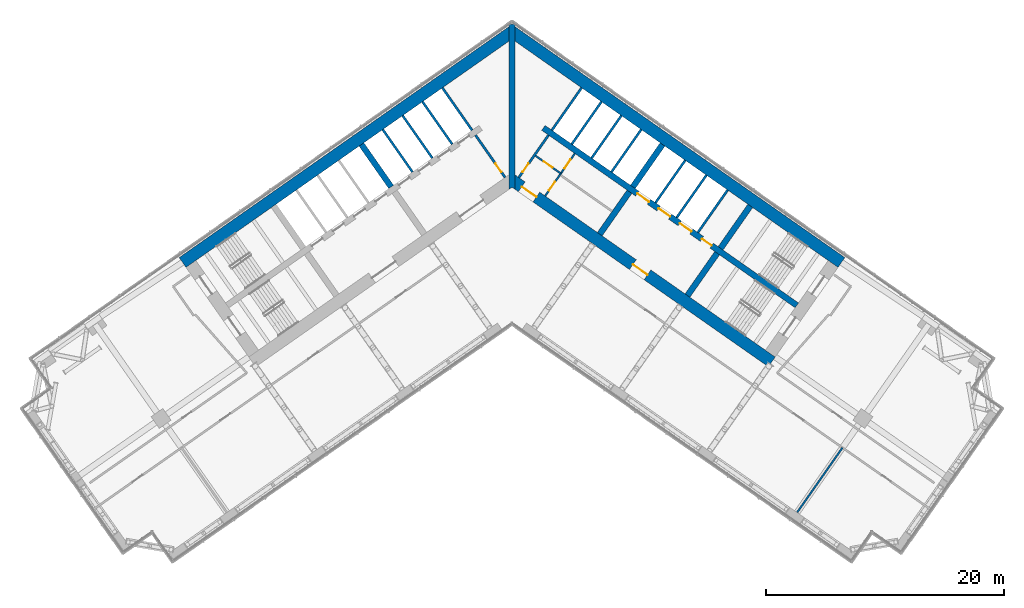
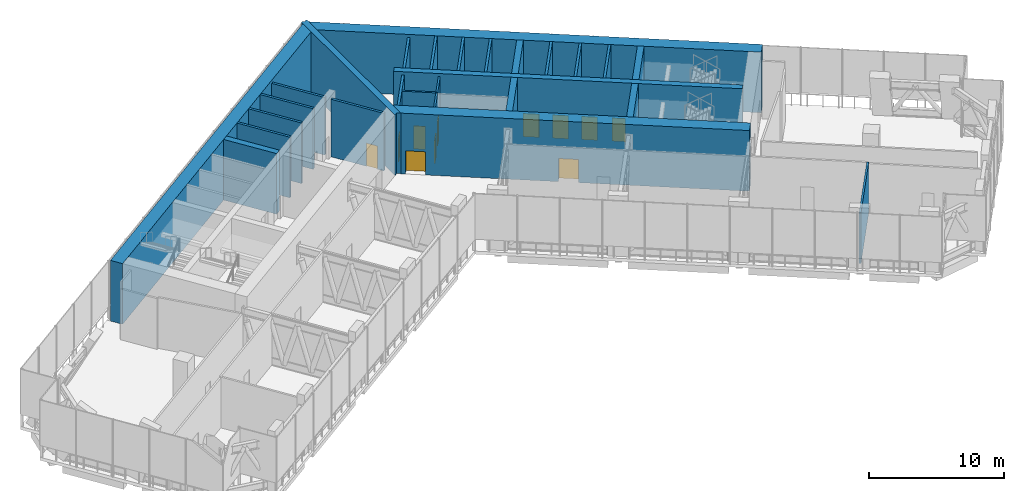
# One storey, part 6 of 24: 26 walls, 11 doors, 11 openings.
"""IFC4 building model written with IfcOpenShell, lengths in metres."""

from ifc_helpers import new_model, si_unit, direction, frame, frame_2d, origin, place, context, subcontext, project, spatial, polyline, rectangle, outline, extrude, material, layer, layer_set, type_object, element, fill, save


model = new_model("IFC4")

# Units and contexts
model_context = context("Model", 3, precision=1e-05, world=origin(), true_north=direction((0.0, 1.0)))
body_context = subcontext(model_context, "Body", "Model", "MODEL_VIEW")
ifc_project = project(units=[si_unit("LENGTHUNIT", "METRE"), si_unit("AREAUNIT", "SQUARE_METRE"), si_unit("VOLUMEUNIT", "CUBIC_METRE"), si_unit("PLANEANGLEUNIT", "RADIAN"), si_unit("MASSUNIT", "GRAM", prefix="KILO")], contexts=[model_context])

# Site, building, storey
site_placement = place(None, origin())
site = spatial("IfcSite", under=ifc_project, at=site_placement, CompositionType="ELEMENT")
building_placement = place(site_placement, origin())
building = spatial("IfcBuilding", under=site, at=building_placement, Name="Tel Ilan Convention Tower", CompositionType="ELEMENT")
storey_placement = place(building_placement, frame((0.0, 0.0, 126.5)))
storey = spatial("IfcBuildingStorey", under=building, at=storey_placement, Name="L28", CompositionType="ELEMENT", Elevation=126.5)

# Wall, openings, doors
ifc_material_1 = material(Name="Gypsum Plasterboard on Steel Stud", Category="steel")
ifc_layer_1 = layer(ifc_material_1, 0.14990234375)
ifc_layer_set_1 = layer_set([ifc_layer_1], Name="Core Room Partition Wall 150 mm EI 60")
wall_type_1 = type_object("IfcWallType", Name="Core Room Partition Wall 150 mm EI 60", PredefinedType="PARTITIONING", material=ifc_layer_set_1)
wall_1_placement = place(storey_placement, frame((2.78515625, -1.9501953125, 0.0), z_axis=(0.0, 0.0, 1.0), x_axis=(0.57356780395, 0.819158088694, 0.0)))
wall_1 = element("IfcWall", 1, at=wall_1_placement, inside=storey, type_object=wall_type_1, Name="L28 core wall wc-v1", PredefinedType="PARTITIONING", context=body_context, shape_type="SweptSolid", body=[
    extrude(rectangle(XDim=4.35009765625, YDim=0.14990234375, at=frame_2d((2.175048828125, 0.0))), origin(), (0.0, 0.0, 1.0), 5.219970703125),
])
opening_1_placement = place(wall_1_placement, frame((0.550048828125, 0.0, 0.0)))
opening_1 = element("IfcOpeningElement", 2, at=opening_1_placement, cuts=wall_1, Name="Opening CD2209", PredefinedType="OPENING", context=body_context, shape_type="SweptSolid", body=[
    extrude(rectangle(XDim=0.89990234375, YDim=2.10009765625, at=frame_2d((0.449951171875, 1.050048828125))), frame((0.0, 0.0849609375, 0.0), z_axis=(0.0, -1.0, 0.0), x_axis=(1.0, 0.0, 0.0)), (0.0, 0.0, 1.0), 0.169921875),
])
opening_2_placement = place(wall_1_placement, frame((2.824951171875, 0.0, 0.0)))
opening_2 = element("IfcOpeningElement", 3, at=opening_2_placement, cuts=wall_1, Name="Opening CD2210", PredefinedType="OPENING", context=body_context, shape_type="SweptSolid", body=[
    extrude(rectangle(XDim=0.89990234375, YDim=2.10009765625, at=frame_2d((0.449951171875, 1.050048828125))), frame((0.0, 0.0849609375, 0.0), z_axis=(0.0, -1.0, 0.0), x_axis=(1.0, 0.0, 0.0)), (0.0, 0.0, 1.0), 0.169921875),
])
ifc_material_2 = material(Name="Laminated Timber Door Leaf", Category="wood")
door_type_1 = type_object("IfcDoorType", Name="Toilet Door 900 x 2100 FD30S", OperationType="NOTDEFINED", PredefinedType="DOOR", material=ifc_material_2)
door_1_placement = place(opening_1_placement, origin())
door_1 = element("IfcDoor", 4, at=door_1_placement, inside=storey, type_object=door_type_1, Name="Women's WC door", OperationType="SINGLE_SWING_RIGHT", OverallHeight=2.10009765625, OverallWidth=0.89990234375, PredefinedType="DOOR", context=body_context, shape_type="SweptSolid", body=[
    extrude(rectangle(XDim=0.89990234375, YDim=2.10009765625, at=frame_2d((0.449951171875, 1.050048828125))), frame((0.0, 0.02490234375, 0.0), z_axis=(0.0, -1.0, 0.0), x_axis=(1.0, 0.0, 0.0)), (0.0, 0.0, 1.0), 0.050048828125),
])
fill(opening_1, door_1)
door_2_placement = place(opening_2_placement, origin())
door_2 = element("IfcDoor", 5, at=door_2_placement, inside=storey, type_object=door_type_1, Name="Men's WC door", OperationType="SINGLE_SWING_RIGHT", OverallHeight=2.10009765625, OverallWidth=0.89990234375, PredefinedType="DOOR", context=body_context, shape_type="SweptSolid", body=[
    extrude(rectangle(XDim=0.89990234375, YDim=2.10009765625, at=frame_2d((0.449951171875, 1.050048828125))), frame((0.0, 0.02490234375, 0.0), z_axis=(0.0, -1.0, 0.0), x_axis=(1.0, 0.0, 0.0)), (0.0, 0.0, 1.0), 0.050048828125),
])
fill(opening_2, door_2)

# Wall, opening, door
wall_2_placement = place(storey_placement, frame((1.974609375, 1.42529296875, 0.0), z_axis=(0.0, 0.0, 1.0), x_axis=(0.819103967032, -0.573645091666, 0.0)))
wall_2 = element("IfcWall", 6, at=wall_2_placement, inside=storey, type_object=wall_type_1, Name="L28 core wall wc-h1", PredefinedType="PARTITIONING", context=body_context, shape_type="SweptSolid", body=[
    extrude(rectangle(XDim=2.599853515625, YDim=0.14990234375, at=frame_2d((1.2998046875, 0.0))), origin(), (0.0, 0.0, 1.0), 5.219970703125),
])
opening_3_placement = place(wall_2_placement, frame((0.85009765625, 0.0, 0.0)))
opening_3 = element("IfcOpeningElement", 7, at=opening_3_placement, cuts=wall_2, Name="Opening CD2208", PredefinedType="OPENING", context=body_context, shape_type="SweptSolid", body=[
    extrude(rectangle(XDim=0.89990234375, YDim=2.10009765625, at=frame_2d((0.449951171875, 1.050048828125))), frame((0.0, 0.0849609375, 0.0), z_axis=(0.0, -1.0, 0.0), x_axis=(1.0, 0.0, 0.0)), (0.0, 0.0, 1.0), 0.169921875),
])
door_3_placement = place(opening_3_placement, origin())
door_3 = element("IfcDoor", 8, at=door_3_placement, inside=storey, type_object=door_type_1, Name="Accessible WC door", OperationType="SINGLE_SWING_RIGHT", OverallHeight=2.10009765625, OverallWidth=0.89990234375, PredefinedType="DOOR", context=body_context, shape_type="SweptSolid", body=[
    extrude(rectangle(XDim=0.89990234375, YDim=2.10009765625, at=frame_2d((0.449951171875, 1.050048828125))), frame((0.0, 0.02490234375, 0.0), z_axis=(0.0, -1.0, 0.0), x_axis=(1.0, 0.0, 0.0)), (0.0, 0.0, 1.0), 0.050048828125),
])
fill(opening_3, door_3)

ifc_material_3 = material(Name="Concrete C30/37", Category="concrete")
ifc_layer_2 = layer(ifc_material_3, 0.199951171875)
ifc_layer_set_2 = layer_set([ifc_layer_2], Name="Core Service Room Wall 200 mm C30/37")
wall_type_2 = type_object("IfcWallType", Name="Core Service Room Wall 200 mm C30/37", PredefinedType="SOLIDWALL", material=ifc_layer_set_2)
wall_3_placement = place(storey_placement, frame((-0.573486328125, -0.401611328125, 0.0), z_axis=(0.0, 0.0, 1.0), x_axis=(-0.57356780395, 0.819158088694, 0.0)))
wall_3 = element("IfcWall", 9, at=wall_3_placement, inside=storey, type_object=wall_type_2, Name="L28 core wall apex-W", PredefinedType="SOLIDWALL", context=body_context, shape_type="SweptSolid", body=[
    extrude(rectangle(XDim=4.35009765625, YDim=0.199951171875, at=frame_2d((2.175048828125, 0.0))), origin(), (0.0, 0.0, 1.0), 5.219970703125),
])
opening_4_placement = place(wall_3_placement, frame((0.550048828125, 0.0, 0.0)))
opening_4 = element("IfcOpeningElement", 10, at=opening_4_placement, cuts=wall_3, Name="Opening CD2202", PredefinedType="OPENING", context=body_context, shape_type="SweptSolid", body=[
    extrude(rectangle(XDim=0.89990234375, YDim=2.10009765625, at=frame_2d((0.449951171875, 1.050048828125))), frame((0.0, 0.10986328125, 0.0), z_axis=(0.0, -1.0, 0.0), x_axis=(1.0, 0.0, 0.0)), (0.0, 0.0, 1.0), 0.219970703125),
])
ifc_material_4 = material(Name="Galvanised Steel Door Leaf", Category="steel")
door_type_2 = type_object("IfcDoorType", Name="Service Room Door 900 x 2100 FD60", OperationType="NOTDEFINED", PredefinedType="DOOR", material=ifc_material_4)
door_4_placement = place(opening_4_placement, origin())
door_4 = element("IfcDoor", 11, at=door_4_placement, inside=storey, type_object=door_type_2, Name="Electrical Room door", OperationType="SINGLE_SWING_RIGHT", OverallHeight=2.10009765625, OverallWidth=0.89990234375, PredefinedType="DOOR", context=body_context, shape_type="SweptSolid", body=[
    extrude(rectangle(XDim=0.89990234375, YDim=2.10009765625, at=frame_2d((0.449951171875, 1.050048828125))), frame((0.0, 0.02490234375, 0.0), z_axis=(0.0, -1.0, 0.0), x_axis=(1.0, 0.0, 0.0)), (0.0, 0.0, 1.0), 0.050048828125),
])
fill(opening_4, door_4)

# Wall
wall_4_placement = place(storey_placement, frame((-3.355224609375, 3.5712890625, 0.0), z_axis=(0.0, 0.0, 1.0), x_axis=(-0.57356780395, 0.819158088694, 0.0)))
element("IfcWall", 12, at=wall_4_placement, inside=storey, type_object=wall_type_2, Name="L28 core wall apex-W-b", PredefinedType="SOLIDWALL", context=body_context, shape_type="SweptSolid", body=[
    extrude(rectangle(XDim=4.35009765625, YDim=0.199951171875, at=frame_2d((2.175048828125, 0.0))), origin(), (0.0, 0.0, 1.0), 5.219970703125),
])

# Wall, opening, door
wall_5_placement = place(storey_placement, frame((0.573486328125, -0.401611328125, 0.0), z_axis=(0.0, 0.0, 1.0), x_axis=(0.57356780395, 0.819158088694, 0.0)))
wall_5 = element("IfcWall", 13, at=wall_5_placement, inside=storey, type_object=wall_type_2, Name="L28 core wall apex-E", PredefinedType="SOLIDWALL", context=body_context, shape_type="SweptSolid", body=[
    extrude(rectangle(XDim=4.35009765625, YDim=0.199951171875, at=frame_2d((2.175048828125, 0.0))), origin(), (0.0, 0.0, 1.0), 5.219970703125),
])
opening_5_placement = place(wall_5_placement, frame((0.550048828125, 0.0, 0.0)))
opening_5 = element("IfcOpeningElement", 14, at=opening_5_placement, cuts=wall_5, Name="Opening CD2201", PredefinedType="OPENING", context=body_context, shape_type="SweptSolid", body=[
    extrude(rectangle(XDim=0.89990234375, YDim=2.10009765625, at=frame_2d((0.449951171875, 1.050048828125))), frame((0.0, 0.10986328125, 0.0), z_axis=(0.0, -1.0, 0.0), x_axis=(1.0, 0.0, 0.0)), (0.0, 0.0, 1.0), 0.219970703125),
])
door_5_placement = place(opening_5_placement, origin())
door_5 = element("IfcDoor", 15, at=door_5_placement, inside=storey, type_object=door_type_2, Name="Store Room door", OperationType="SINGLE_SWING_RIGHT", OverallHeight=2.10009765625, OverallWidth=0.89990234375, PredefinedType="DOOR", context=body_context, shape_type="SweptSolid", body=[
    extrude(rectangle(XDim=0.89990234375, YDim=2.10009765625, at=frame_2d((0.449951171875, 1.050048828125))), frame((0.0, 0.02490234375, 0.0), z_axis=(0.0, -1.0, 0.0), x_axis=(1.0, 0.0, 0.0)), (0.0, 0.0, 1.0), 0.050048828125),
])
fill(opening_5, door_5)

# Walls
wall_6_placement = place(storey_placement, frame((3.355224609375, 3.5712890625, 0.0), z_axis=(0.0, 0.0, 1.0), x_axis=(0.57356780395, 0.819158088694, 0.0)))
element("IfcWall", 16, at=wall_6_placement, inside=storey, type_object=wall_type_2, Name="L28 core wall apex-E-b", PredefinedType="SOLIDWALL", context=body_context, shape_type="SweptSolid", body=[
    extrude(rectangle(XDim=4.35009765625, YDim=0.199951171875, at=frame_2d((2.175048828125, 0.0))), origin(), (0.0, 0.0, 1.0), 5.219970703125),
])
ifc_material_5 = material(Name="Concrete C60/75", Category="concrete")
ifc_layer_3 = layer(ifc_material_5, 1.0)
ifc_layer_set_3 = layer_set([ifc_layer_3], Name="Core Shear Wall 1000 mm C60/75")
wall_type_3 = type_object("IfcWallType", Name="Core Shear Wall 1000 mm C60/75", PredefinedType="SHEAR", material=ifc_layer_set_3)
wall_7_placement = place(storey_placement, frame((0.036865234375, 11.8671875, 0.0), z_axis=(0.0, 0.0, 1.0), x_axis=(-0.819155306259, -0.573571777746, 0.0)))
element("IfcWall", 17, at=wall_7_placement, inside=storey, type_object=wall_type_3, Name="L28 core wall W-back", PredefinedType="SHEAR", context=body_context, shape_type="SweptSolid", body=[
    extrude(outline(polyline([(33.8369140625, 0.5), (0.7001953125, 0.499755859375), (0.0, -0.5), (33.8369140625, -0.5), (33.8369140625, 0.5)])), origin(), (0.0, 0.0, 1.0), 5.5),
])
wall_8_placement = place(storey_placement, frame((-0.036865234375, 11.8671875, 0.0), z_axis=(0.0, 0.0, 1.0), x_axis=(0.819155306259, -0.573571777746, 0.0)))
element("IfcWall", 18, at=wall_8_placement, inside=storey, type_object=wall_type_3, Name="L28 core wall E-back", PredefinedType="SHEAR", context=body_context, shape_type="SweptSolid", body=[
    extrude(outline(polyline([(33.8369140625, 0.5), (0.0, 0.5), (0.7001953125, -0.499755859375), (33.8369140625, -0.5), (33.8369140625, 0.5)])), origin(), (0.0, 0.0, 1.0), 5.5),
])

# Wall, openings, doors
wall_9_placement = place(storey_placement, frame((-0.036865234375, -0.584716796875, 0.0), z_axis=(0.0, 0.0, 1.0), x_axis=(0.819157152511, -0.573569140985, 0.0)))
wall_9 = element("IfcWall", 19, at=wall_9_placement, inside=storey, type_object=wall_type_3, Name="L28 core wall E-front", PredefinedType="SHEAR", context=body_context, shape_type="SweptSolid", body=[
    extrude(outline(polyline([(26.69482421875, 0.499755859375), (0.0, 0.5), (0.7001953125, -0.499755859375), (26.69482421875, -0.500244140625), (26.69482421875, 0.499755859375)])), origin(), (0.0, 0.0, 1.0), 5.5),
])
opening_6_placement = place(wall_9_placement, frame((1.044921875, 0.0, 0.0)))
opening_6 = element("IfcOpeningElement", 20, at=opening_6_placement, cuts=wall_9, Name="Opening CD2203", PredefinedType="OPENING", context=body_context, shape_type="SweptSolid", body=[
    extrude(rectangle(XDim=1.5, YDim=2.10009765625, at=frame_2d((0.75, 1.050048828125))), frame((0.0, 0.510009765625, 0.0), z_axis=(0.0, -1.0, 0.0), x_axis=(1.0, 0.0, 0.0)), (0.0, 0.0, 1.0), 1.02001953125),
])
opening_7_placement = place(wall_9_placement, frame((12.44482421875, 0.0, 0.0)))
opening_7 = element("IfcOpeningElement", 21, at=opening_7_placement, cuts=wall_9, Name="Opening CD2204", PredefinedType="OPENING", context=body_context, shape_type="SweptSolid", body=[
    extrude(rectangle(XDim=1.5, YDim=2.10009765625, at=frame_2d((0.75, 1.050048828125))), frame((0.0, 0.510009765625, 0.0), z_axis=(0.0, -1.0, 0.0), x_axis=(1.0, 0.0, 0.0)), (0.0, 0.0, 1.0), 1.02001953125),
])
ifc_material_6 = material(Name="Glazed Aluminium Door Leaf", Category="aluminium")
door_type_3 = type_object("IfcDoorType", Name="Lobby Opening Door 1500 x 2100 FD60S", OperationType="NOTDEFINED", PredefinedType="DOOR", material=ifc_material_6)
door_6_placement = place(opening_7_placement, origin())
door_6 = element("IfcDoor", 22, at=door_6_placement, inside=storey, type_object=door_type_3, Name="Firefighting Lobby door", OperationType="DOUBLE_DOOR_SINGLE_SWING", OverallHeight=2.10009765625, OverallWidth=1.5, PredefinedType="DOOR", context=body_context, shape_type="SweptSolid", body=[
    extrude(rectangle(XDim=1.5, YDim=2.10009765625, at=frame_2d((0.75, 1.050048828125))), frame((0.0, 0.02490234375, 0.0), z_axis=(0.0, -1.0, 0.0), x_axis=(1.0, 0.0, 0.0)), (0.0, 0.0, 1.0), 0.050048828125),
])
fill(opening_7, door_6)
ifc_material_7 = material(Name="Laminated Timber Door Leaf", Category="wood")
door_type_4 = type_object("IfcDoorType", Name="Toilet Door 1500 x 2100 FD30S", OperationType="NOTDEFINED", PredefinedType="DOOR", material=ifc_material_7)
door_7_placement = place(opening_6_placement, origin())
door_7 = element("IfcDoor", 23, at=door_7_placement, inside=storey, type_object=door_type_4, Name="WC Lobby door", OperationType="SINGLE_SWING_RIGHT", OverallHeight=2.10009765625, OverallWidth=1.5, PredefinedType="DOOR", context=body_context, shape_type="SweptSolid", body=[
    extrude(rectangle(XDim=1.5, YDim=2.10009765625, at=frame_2d((0.75, 1.050048828125))), frame((0.0, 0.02490234375, 0.0), z_axis=(0.0, -1.0, 0.0), x_axis=(1.0, 0.0, 0.0)), (0.0, 0.0, 1.0), 0.050048828125),
])
fill(opening_6, door_7)

# Walls
ifc_material_8 = material(Name="Concrete C60/75", Category="concrete")
ifc_layer_4 = layer(ifc_material_8, 0.5)
ifc_layer_set_4 = layer_set([ifc_layer_4], Name="Core Shear Wall 500 mm C60/75")
wall_type_4 = type_object("IfcWallType", Name="Core Shear Wall 500 mm C60/75", PredefinedType="SHEAR", material=ifc_layer_set_4)
wall_10_placement = place(storey_placement, frame((-10.154296875, -1.189208984375, 0.0), z_axis=(0.0, 0.0, 1.0), x_axis=(-0.573594173421, 0.819139624372, 0.0)))
element("IfcWall", 24, at=wall_10_placement, inside=storey, type_object=wall_type_4, Name="L28 core wall W-cross1-2", PredefinedType="SHEAR", context=body_context, shape_type="SweptSolid", body=[
    extrude(outline(polyline([(4.349853515625, -0.25), (4.349853515625, 0.25), (-0.000244140625, 0.25), (-0.000244140625, -0.25), (4.349853515625, -0.25)])), origin(), (0.0, 0.0, 1.0), 5.5),
])
wall_11_placement = place(storey_placement, frame((7.372314453125, -5.162109375, 0.0), z_axis=(0.0, 0.0, 1.0), x_axis=(0.573594173421, 0.819139624372, 0.0)))
element("IfcWall", 25, at=wall_11_placement, inside=storey, type_object=wall_type_4, Name="L28 core wall E-cross1-1", PredefinedType="SHEAR", context=body_context, shape_type="SweptSolid", body=[
    extrude(outline(polyline([(0.0, 0.25), (0.0, -0.250244140625), (4.349853515625, -0.25), (4.349853515625, 0.25), (0.0, 0.25)])), origin(), (0.0, 0.0, 1.0), 5.5),
])
wall_12_placement = place(storey_placement, frame((10.154296875, -1.189208984375, 0.0), z_axis=(0.0, 0.0, 1.0), x_axis=(0.573594173421, 0.819139624372, 0.0)))
element("IfcWall", 26, at=wall_12_placement, inside=storey, type_object=wall_type_4, Name="L28 core wall E-cross1-2", PredefinedType="SHEAR", context=body_context, shape_type="SweptSolid", body=[
    extrude(outline(polyline([(4.349853515625, -0.25), (4.349853515625, 0.25), (-0.000244140625, 0.25), (-0.000244140625, -0.25), (4.349853515625, -0.25)])), origin(), (0.0, 0.0, 1.0), 5.5),
])
wall_13_placement = place(storey_placement, frame((14.74462890625, -10.324462890625, 0.0), z_axis=(0.0, 0.0, 1.0), x_axis=(0.57356780395, 0.819158088694, 0.0)))
element("IfcWall", 27, at=wall_13_placement, inside=storey, type_object=wall_type_4, Name="L28 core wall E-cross2-1", PredefinedType="SHEAR", context=body_context, shape_type="SweptSolid", body=[
    extrude(outline(polyline([(0.0, 0.25), (0.0, -0.25), (4.35009765625, -0.250244140625), (4.35009765625, 0.25), (0.0, 0.25)])), origin(), (0.0, 0.0, 1.0), 5.5),
])
wall_14_placement = place(storey_placement, frame((17.526611328125, -6.3515625, 0.0), z_axis=(0.0, 0.0, 1.0), x_axis=(0.573530143085, 0.819184457233, 0.0)))
element("IfcWall", 28, at=wall_14_placement, inside=storey, type_object=wall_type_4, Name="L28 core wall E-cross2-2", PredefinedType="SHEAR", context=body_context, shape_type="SweptSolid", body=[
    extrude(outline(polyline([(4.35009765625, -0.250244140625), (4.35009765625, 0.249755859375), (0.0, 0.25), (0.0, -0.25), (4.35009765625, -0.250244140625)])), origin(), (0.0, 0.0, 1.0), 5.5),
])

# Wall, openings, doors
wall_15_placement = place(storey_placement, frame((2.638427734375, 3.76806640625, 0.0), z_axis=(0.0, 0.0, 1.0), x_axis=(0.819148977158, -0.573580816643, 0.0)))
wall_15 = element("IfcWall", 29, at=wall_15_placement, inside=storey, type_object=wall_type_4, Name="L28 core wall E-spine", PredefinedType="SHEAR", context=body_context, shape_type="SweptSolid", body=[
    extrude(outline(polyline([(0.0, 0.25), (0.0, -0.25), (26.0, -0.249755859375), (26.0, 0.250244140625), (0.0, 0.25)])), origin(), (0.0, 0.0, 1.0), 5.5),
])
opening_8_placement = place(wall_15_placement, frame((9.637451171875, 0.0, 0.0)))
opening_8 = element("IfcOpeningElement", 30, at=opening_8_placement, cuts=wall_15, Name="Opening LD2201", PredefinedType="OPENING", context=body_context, shape_type="SweptSolid", body=[
    extrude(rectangle(XDim=1.199951171875, YDim=2.10009765625, at=frame_2d((0.60009765625, 1.050048828125))), frame((0.0, 0.260009765625, 0.0), z_axis=(0.0, -1.0, 0.0), x_axis=(1.0, 0.0, 0.0)), (0.0, 0.0, 1.0), 0.52001953125),
])
opening_9_placement = place(wall_15_placement, frame((11.8125, 0.0, 0.0)))
opening_9 = element("IfcOpeningElement", 31, at=opening_9_placement, cuts=wall_15, Name="Opening LD2202", PredefinedType="OPENING", context=body_context, shape_type="SweptSolid", body=[
    extrude(rectangle(XDim=1.199951171875, YDim=2.10009765625, at=frame_2d((0.60009765625, 1.050048828125))), frame((0.0, 0.260009765625, 0.0), z_axis=(0.0, -1.0, 0.0), x_axis=(1.0, 0.0, 0.0)), (0.0, 0.0, 1.0), 0.52001953125),
])
opening_10_placement = place(wall_15_placement, frame((13.987548828125, 0.0, 0.0)))
opening_10 = element("IfcOpeningElement", 32, at=opening_10_placement, cuts=wall_15, Name="Opening LD2203", PredefinedType="OPENING", context=body_context, shape_type="SweptSolid", body=[
    extrude(rectangle(XDim=1.199951171875, YDim=2.10009765625, at=frame_2d((0.60009765625, 1.050048828125))), frame((0.0, 0.260009765625, 0.0), z_axis=(0.0, -1.0, 0.0), x_axis=(1.0, 0.0, 0.0)), (0.0, 0.0, 1.0), 0.52001953125),
])
opening_11_placement = place(wall_15_placement, frame((16.262451171875, 0.0, 0.0)))
opening_11 = element("IfcOpeningElement", 33, at=opening_11_placement, cuts=wall_15, Name="Opening CD2207", PredefinedType="OPENING", context=body_context, shape_type="SweptSolid", body=[
    extrude(rectangle(XDim=1.0, YDim=2.10009765625, at=frame_2d((0.5, 1.050048828125))), frame((0.0, 0.260009765625, 0.0), z_axis=(0.0, -1.0, 0.0), x_axis=(1.0, 0.0, 0.0)), (0.0, 0.0, 1.0), 0.52001953125),
])
ifc_material_9 = material(Name="Stainless Steel Sliding Door Leaf", Category="steel")
door_type_5 = type_object("IfcDoorType", Name="Lift Landing Door 1200 x 2100 FD120", OperationType="NOTDEFINED", PredefinedType="DOOR", material=ifc_material_9)
door_8_placement = place(opening_8_placement, origin())
door_8 = element("IfcDoor", 34, at=door_8_placement, inside=storey, type_object=door_type_5, Name="Lift FL1 landing door", OperationType="SLIDING_TO_LEFT", OverallHeight=2.10009765625, OverallWidth=1.199951171875, PredefinedType="DOOR", context=body_context, shape_type="SweptSolid", body=[
    extrude(rectangle(XDim=1.199951171875, YDim=2.10009765625, at=frame_2d((0.60009765625, 1.050048828125))), frame((0.0, 0.02490234375, 0.0), z_axis=(0.0, -1.0, 0.0), x_axis=(1.0, 0.0, 0.0)), (0.0, 0.0, 1.0), 0.050048828125),
])
fill(opening_8, door_8)
door_9_placement = place(opening_9_placement, origin())
door_9 = element("IfcDoor", 35, at=door_9_placement, inside=storey, type_object=door_type_5, Name="Lift FL2 landing door", OperationType="SLIDING_TO_RIGHT", OverallHeight=2.10009765625, OverallWidth=1.199951171875, PredefinedType="DOOR", context=body_context, shape_type="SweptSolid", body=[
    extrude(rectangle(XDim=1.199951171875, YDim=2.10009765625, at=frame_2d((0.60009765625, 1.050048828125))), frame((0.0, 0.02490234375, 0.0), z_axis=(0.0, -1.0, 0.0), x_axis=(1.0, 0.0, 0.0)), (0.0, 0.0, 1.0), 0.050048828125),
])
fill(opening_9, door_9)
door_10_placement = place(opening_10_placement, origin())
door_10 = element("IfcDoor", 36, at=door_10_placement, inside=storey, type_object=door_type_5, Name="Lift FL3 landing door", OperationType="SLIDING_TO_LEFT", OverallHeight=2.10009765625, OverallWidth=1.199951171875, PredefinedType="DOOR", context=body_context, shape_type="SweptSolid", body=[
    extrude(rectangle(XDim=1.199951171875, YDim=2.10009765625, at=frame_2d((0.60009765625, 1.050048828125))), frame((0.0, 0.02490234375, 0.0), z_axis=(0.0, -1.0, 0.0), x_axis=(1.0, 0.0, 0.0)), (0.0, 0.0, 1.0), 0.050048828125),
])
fill(opening_10, door_10)
ifc_material_10 = material(Name="Galvanised Steel Door Leaf", Category="steel")
door_type_6 = type_object("IfcDoorType", Name="Service Room Door 1000 x 2100 FD60", OperationType="NOTDEFINED", PredefinedType="DOOR", material=ifc_material_10)
door_11_placement = place(opening_11_placement, origin())
door_11 = element("IfcDoor", 37, at=door_11_placement, inside=storey, type_object=door_type_6, Name="Plant Room door", OperationType="SINGLE_SWING_RIGHT", OverallHeight=2.10009765625, OverallWidth=1.0, PredefinedType="DOOR", context=body_context, shape_type="SweptSolid", body=[
    extrude(rectangle(XDim=1.0, YDim=2.10009765625, at=frame_2d((0.5, 1.050048828125))), frame((0.0, 0.02490234375, 0.0), z_axis=(0.0, -1.0, 0.0), x_axis=(1.0, 0.0, 0.0)), (0.0, 0.0, 1.0), 0.050048828125),
])
fill(opening_11, door_11)

# Walls
wall_16_placement = place(storey_placement, frame((0.0, -1.395751953125, 0.0), z_axis=(0.0, 0.0, 1.0), x_axis=(0.0, 1.0, 0.0)))
element("IfcWall", 38, at=wall_16_placement, inside=storey, type_object=wall_type_4, Name="L28 core wall K-central", PredefinedType="SHEAR", context=body_context, shape_type="SweptSolid", body=[
    extrude(outline(polyline([(0.0, -0.25), (0.175048828125, -0.25), (1.220703125, -0.25), (12.451904296875, -0.25), (13.84765625, -0.25), (13.85693359375, -0.25), (13.96826171875, -0.172119140625), (13.84765625, 0.0), (13.96826171875, 0.172119140625), (13.85693359375, 0.25), (13.84765625, 0.25), (12.451904296875, 0.25), (1.220703125, 0.25), (0.175048828125, 0.25), (0.0, 0.25), (0.175048828125, 0.0), (0.0, -0.25)])), origin(), (0.0, 0.0, 1.0), 5.5),
])
ifc_material_11 = material(Name="Plasterboard on Steel Studs", Category="steel")
ifc_layer_5 = layer(ifc_material_11, 0.14990234375)
ifc_layer_set_5 = layer_set([ifc_layer_5], Name="Fire-rated Partition 150 EI 60")
wall_type_5 = type_object("IfcWallType", Name="Fire-rated Partition 150 EI 60", PredefinedType="PARTITIONING", material=ifc_layer_set_5)
wall_17_placement = place(storey_placement, frame((27.768798828125, -23.106201171875, 0.0), z_axis=(0.0, 0.0, 1.0), x_axis=(-0.57359826181, -0.819136761505, 0.0)))
element("IfcWall", 39, at=wall_17_placement, inside=storey, type_object=wall_type_5, Name="Partition 015", PredefinedType="PARTITIONING", context=body_context, shape_type="SweptSolid", body=[
    extrude(rectangle(XDim=6.630126953125, YDim=0.14990234375, at=frame_2d((3.31494140625, 0.0))), origin(), (0.0, 0.0, 1.0), 4.60009765625),
])
ifc_material_12 = material(Name="Concrete C30/37", Category="concrete")
ifc_layer_6 = layer(ifc_material_12, 0.199951171875)
ifc_layer_set_6 = layer_set([ifc_layer_6], Name="Lift Shaft Wall 200 mm C30/37")
wall_type_6 = type_object("IfcWallType", Name="Lift Shaft Wall 200 mm C30/37", PredefinedType="SOLIDWALL", material=ifc_layer_set_6)
wall_18_placement = place(storey_placement, frame((-5.0244140625, 2.402587890625, 0.0), z_axis=(0.0, 0.0, 1.0), x_axis=(-0.573530143085, 0.819184457233, 0.0)))
element("IfcWall", 40, at=wall_18_placement, inside=storey, type_object=wall_type_6, Name="L28 core wall bank-W1-p0", PredefinedType="SOLIDWALL", context=body_context, shape_type="SweptSolid", body=[
    extrude(rectangle(XDim=4.35009765625, YDim=0.199951171875, at=frame_2d((2.175048828125, 0.0))), origin(), (0.0, 0.0, 1.0), 5.5),
])
for number, where, z_axis, x_axis, name in (
    (41, (-6.693359375, 1.234130859375, 0.0), (0.0, 0.0, 1.0), (-0.573594173421, 0.819139624372, 0.0), "L28 core wall bank-W1-p1"),
    (42, (-8.3623046875, 0.0654296875, 0.0), (0.0, 0.0, 1.0), (-0.573594173421, 0.819139624372, 0.0), "L28 core wall bank-W1-p2"),
):
    element("IfcWall", number, at=place(storey_placement, frame(where, z_axis=z_axis, x_axis=x_axis)), inside=storey, type_object=wall_type_6, Name=name, PredefinedType="SOLIDWALL", context=body_context, shape_type="SweptSolid", body=[
        extrude(rectangle(XDim=4.349853515625, YDim=0.199951171875, at=frame_2d((2.1748046875, 0.0))), origin(), (0.0, 0.0, 1.0), 5.5),
    ])
wall_19_placement = place(storey_placement, frame((5.0244140625, 2.402587890625, 0.0), z_axis=(0.0, 0.0, 1.0), x_axis=(0.573530143085, 0.819184457233, 0.0)))
element("IfcWall", 43, at=wall_19_placement, inside=storey, type_object=wall_type_6, Name="L28 core wall bank-E1-p0", PredefinedType="SOLIDWALL", context=body_context, shape_type="SweptSolid", body=[
    extrude(rectangle(XDim=4.35009765625, YDim=0.199951171875, at=frame_2d((2.175048828125, 0.0))), origin(), (0.0, 0.0, 1.0), 5.5),
])
for number, where, z_axis, x_axis, name in (
    (44, (6.693359375, 1.234130859375, 0.0), (0.0, 0.0, 1.0), (0.573594173421, 0.819139624372, 0.0), "L28 core wall bank-E1-p1"),
    (45, (8.3623046875, 0.0654296875, 0.0), (0.0, 0.0, 1.0), (0.573594173421, 0.819139624372, 0.0), "L28 core wall bank-E1-p2"),
    (46, (12.05859375, -2.52294921875, 0.0), (0.0, 0.0, 1.0), (0.573594173421, 0.819139624372, 0.0), "L28 core wall bank-E2-p0"),
):
    element("IfcWall", number, at=place(storey_placement, frame(where, z_axis=z_axis, x_axis=x_axis)), inside=storey, type_object=wall_type_6, Name=name, PredefinedType="SOLIDWALL", context=body_context, shape_type="SweptSolid", body=[
        extrude(rectangle(XDim=4.349853515625, YDim=0.199951171875, at=frame_2d((2.1748046875, 0.0))), origin(), (0.0, 0.0, 1.0), 5.5),
    ])
wall_20_placement = place(storey_placement, frame((13.84033203125, -3.7705078125, 0.0), z_axis=(0.0, 0.0, 1.0), x_axis=(0.57356780395, 0.819158088694, 0.0)))
element("IfcWall", 47, at=wall_20_placement, inside=storey, type_object=wall_type_6, Name="L28 core wall bank-E2-p1", PredefinedType="SOLIDWALL", context=body_context, shape_type="SweptSolid", body=[
    extrude(rectangle(XDim=4.35009765625, YDim=0.199951171875, at=frame_2d((2.175048828125, 0.0))), origin(), (0.0, 0.0, 1.0), 5.5),
])
wall_21_placement = place(storey_placement, frame((15.6220703125, -5.017822265625, 0.0), z_axis=(0.0, 0.0, 1.0), x_axis=(0.573594173421, 0.819139624372, 0.0)))
element("IfcWall", 48, at=wall_21_placement, inside=storey, type_object=wall_type_6, Name="L28 core wall bank-E2-p2", PredefinedType="SOLIDWALL", context=body_context, shape_type="SweptSolid", body=[
    extrude(rectangle(XDim=4.349853515625, YDim=0.199951171875, at=frame_2d((2.1748046875, 0.0))), origin(), (0.0, 0.0, 1.0), 5.5),
])

save(model, "model.ifc")
